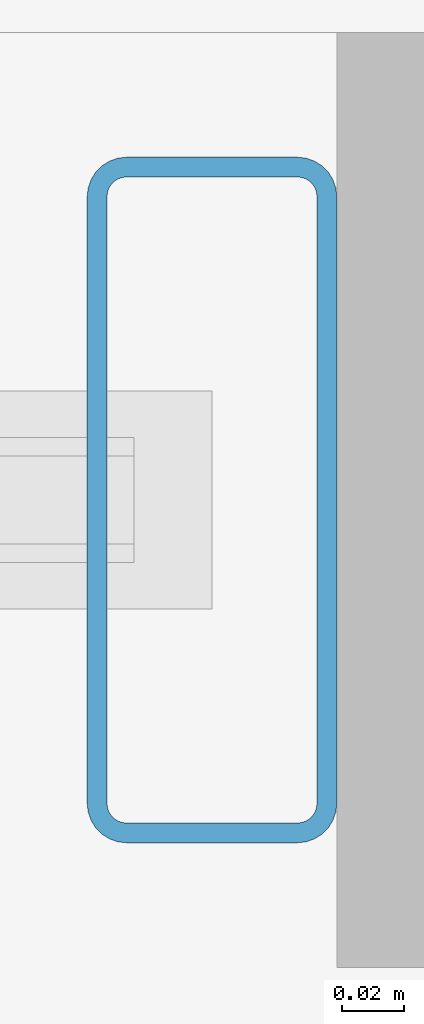
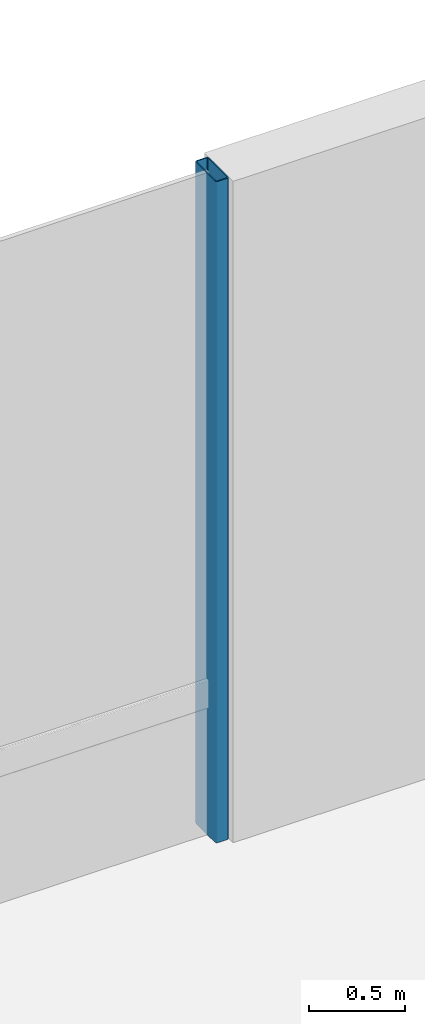
# One storey, part 15 of 43: 1 member, 1 element without a shape of its own.
"""IFC4 building model written with IfcOpenShell, lengths in metres."""

from ifc_helpers import new_model, si_unit, direction, frame, origin, origin_2d, place, context, subcontext, project, spatial, hollow_rectangle, extrude, material, layer, layer_set, material_profile, profile_set, type_object, element, aggregate, save


model = new_model("IFC4")

# Units and contexts
model_context = context("Model", 3, precision=1e-05, world=origin(), true_north=direction((0.0, 1.0)))
body_context = subcontext(model_context, "Body", "Model", "MODEL_VIEW")
ifc_project = project(units=[si_unit("LENGTHUNIT", "METRE"), si_unit("AREAUNIT", "SQUARE_METRE"), si_unit("VOLUMEUNIT", "CUBIC_METRE"), si_unit("PLANEANGLEUNIT", "RADIAN"), si_unit("MASSUNIT", "GRAM", prefix="KILO")], contexts=[model_context])

# Site, building, storey
site_placement = place(None, origin())
site = spatial("IfcSite", under=ifc_project, at=site_placement, CompositionType="ELEMENT")
building_placement = place(site_placement, origin())
building = spatial("IfcBuilding", under=site, at=building_placement, Name="Korimba Cascade Residences", CompositionType="ELEMENT")
storey_placement = place(building_placement, frame((0.0, 0.0, 10.0)))
storey = spatial("IfcBuildingStorey", under=building, at=storey_placement, Name="L02", CompositionType="ELEMENT", Elevation=10.0)

# Curtain wall, member
ifc_material_1 = material(Name="Anodised Aluminium Curtain Wall Framing", Category="aluminium")
ifc_layer = layer(ifc_material_1, 0.179931640625)
ifc_layer_set = layer_set([ifc_layer], Name="Anodised Aluminium Curtain Wall Framing")
curtain_wall_type = type_object("IfcCurtainWallType", Name="CW-POD-SYS1", PredefinedType="NOTDEFINED", material=ifc_layer_set)
curtain_wall_placement = place(storey_placement, origin())
curtain_wall = element("IfcCurtainWall", 1, at=curtain_wall_placement, inside=storey, type_object=curtain_wall_type, Name="L02 Curtain Wall CW-L02-POD-N", PredefinedType="NOTDEFINED")
ifc_material_2 = material(Name="Anodised Aluminium Mullion", Category="aluminium")
ifc_material_profile = material_profile(ifc_material_2, hollow_rectangle(XDim=0.080078125, YDim=0.219970703125, WallThickness=0.00634765625, InnerFilletRadius=0.00634765625, OuterFilletRadius=0.0126953125, at=origin_2d()), Name="Anodised Aluminium Mullion")
ifc_profile_set = profile_set([ifc_material_profile], Name="Anodised Aluminium Mullion")
member_type = type_object("IfcMemberType", Name="CWM-MUL-220", PredefinedType="MULLION", material=ifc_profile_set)
member_placement = place(storey_placement, frame((107.9599609375, 104.050048828125, 0.0), z_axis=(0.0, 0.0, 1.0), x_axis=(-1.0, 0.0, 0.0)))
member = element("IfcMember", 2, at=member_placement, type_object=member_type, Name="CW-L02-POD-N Mullion 1", PredefinedType="MULLION", context=body_context, shape_type="SweptSolid", body=[
    extrude(hollow_rectangle(XDim=0.080078125, YDim=0.219970703125, WallThickness=0.00634765625, InnerFilletRadius=0.00634765625, OuterFilletRadius=0.0126953125, at=origin_2d()), origin(), (0.0, 0.0, 1.0), 4.199951171875),
])
aggregate(curtain_wall, [member])

save(model, "model.ifc")
